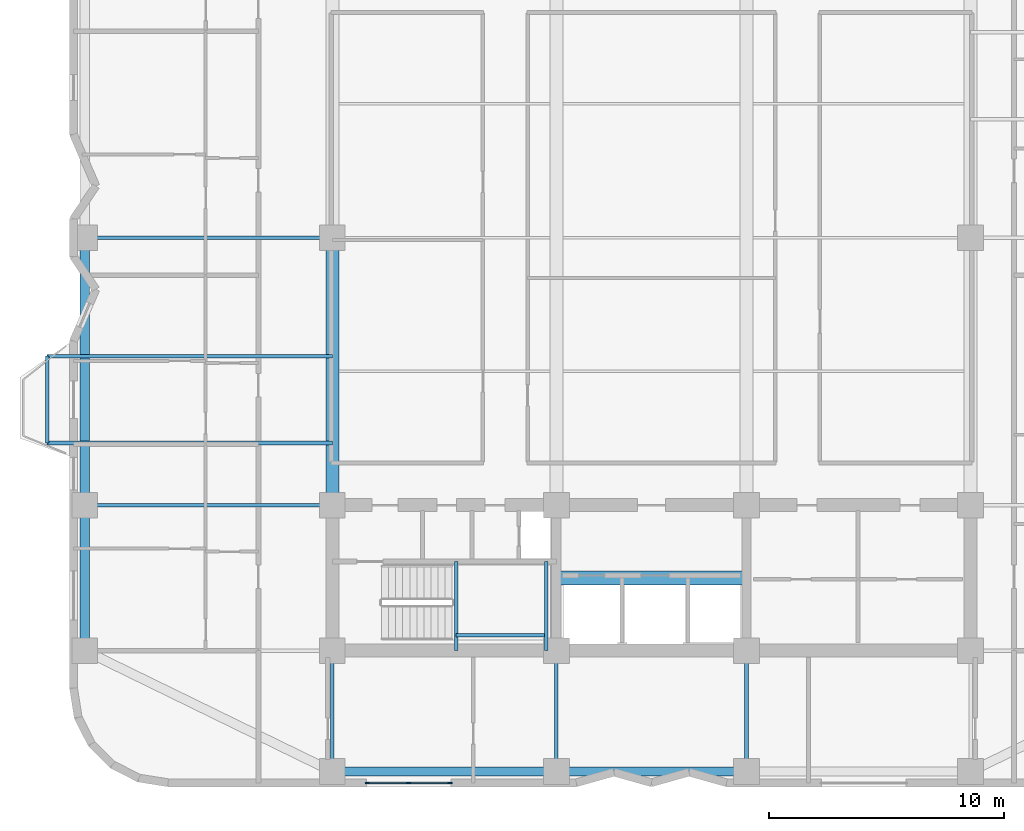
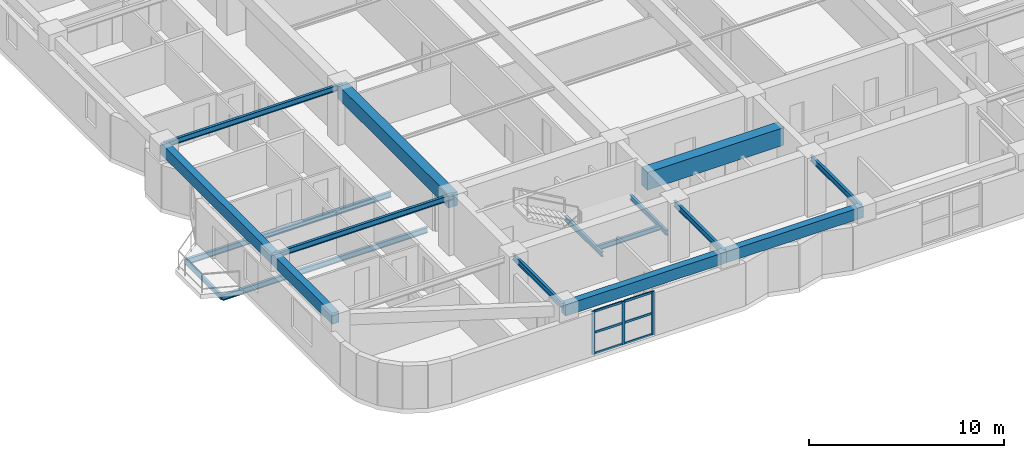
# One storey, part 2 of 15: 17 beams, 9 members, 1 element without a shape of its own.
"""IFC4 building model written with IfcOpenShell, lengths in metres."""

from ifc_helpers import new_model, si_unit, direction, frame, origin, origin_2d, place, context, subcontext, project, spatial, rectangle, i_section, extrude, material, material_profile, profile_set, type_object, element, aggregate, save


model = new_model("IFC4")

# Units and contexts
model_context = context("Model", 3, precision=1e-05, world=origin(), true_north=direction((0.0, 1.0)))
body_context = subcontext(model_context, "Body", "Model", "MODEL_VIEW")
ifc_project = project(units=[si_unit("LENGTHUNIT", "METRE"), si_unit("AREAUNIT", "SQUARE_METRE"), si_unit("VOLUMEUNIT", "CUBIC_METRE"), si_unit("PLANEANGLEUNIT", "RADIAN"), si_unit("MASSUNIT", "GRAM", prefix="KILO")], contexts=[model_context])

# Site, building, storey
site_placement = place(None, origin())
site = spatial("IfcSite", under=ifc_project, at=site_placement, CompositionType="ELEMENT")
building_placement = place(site_placement, origin())
building = spatial("IfcBuilding", under=site, at=building_placement, Name="Svetorya Sky Lyceum", CompositionType="ELEMENT")
storey_placement = place(building_placement, frame((0.0, 0.0, 99.39990234375)))
storey = spatial("IfcBuildingStorey", under=building, at=storey_placement, Name="L24", CompositionType="ELEMENT", Elevation=99.39990234375)

# Beams
ifc_material_1 = material(Name="Concrete C60/75", Category="concrete")
ifc_material_profile_1 = material_profile(ifc_material_1, rectangle(XDim=0.60009765625, YDim=1.10009765625, at=origin_2d()), Name="RC COUPLING 600x1100")
ifc_profile_set_1 = profile_set([ifc_material_profile_1], Name="Concrete C60/75")
beam_type_1 = type_object("IfcBeamType", Name="BM-CPL-1100", PredefinedType="LINTEL", material=ifc_profile_set_1)
beam_1_placement = place(storey_placement, frame((35.14990234375, 13.699951171875, 2.8701171875), z_axis=(1.0, 0.0, 0.0), x_axis=(0.0, 1.0, 0.0)))
element("IfcBeam", 1, at=beam_1_placement, inside=storey, type_object=beam_type_1, Name="L24 SC Core Coupling Beam", PredefinedType="LINTEL", context=body_context, shape_type="SweptSolid", body=[
    extrude(rectangle(XDim=0.60009765625, YDim=1.10009765625, at=origin_2d()), origin(), (0.0, 0.0, 1.0), 8.10009765625),
])
ifc_material_2 = material(Name="Concrete C50/60", Category="concrete")
ifc_material_profile_2 = material_profile(ifc_material_2, rectangle(XDim=0.550048828125, YDim=0.85009765625, at=origin_2d()), Name="RC BEAM 550x850")
ifc_profile_set_2 = profile_set([ifc_material_profile_2], Name="Concrete C50/60")
beam_type_2 = type_object("IfcBeamType", Name="BM-RC-850", PredefinedType="BEAM", material=ifc_profile_set_2)
beam_2_placement = place(storey_placement, frame((25.60009765625, 16.800048828125, 2.9951171875), z_axis=(0.0, 1.0, 0.0), x_axis=(-1.0, 0.0, 0.0)))
element("IfcBeam", 2, at=beam_2_placement, inside=storey, type_object=beam_type_2, Name="L24 Central Bay Primary Girder CG-1A", PredefinedType="BEAM", context=body_context, shape_type="SweptSolid", body=[
    extrude(rectangle(XDim=0.550048828125, YDim=0.85009765625, at=origin_2d()), origin(), (0.0, 0.0, 1.0), 11.39990234375),
])
ifc_material_profile_3 = material_profile(ifc_material_2, rectangle(XDim=0.39990234375, YDim=0.699951171875, at=origin_2d()), Name="RC SPANDREL 400x700")
ifc_profile_set_3 = profile_set([ifc_material_profile_3], Name="Concrete C50/60")
beam_type_3 = type_object("IfcBeamType", Name="BM-SPN-700", PredefinedType="SPANDREL", material=ifc_profile_set_3)
beam_3_placement = place(storey_placement, frame((25.60009765625, 5.449951171875, 3.070068359375), z_axis=(1.0, 0.0, 0.0), x_axis=(0.0, 1.0, 0.0)))
element("IfcBeam", 3, at=beam_3_placement, inside=storey, type_object=beam_type_3, Name="L24 South Spandrel 1", PredefinedType="SPANDREL", context=body_context, shape_type="SweptSolid", body=[
    extrude(rectangle(XDim=0.39990234375, YDim=0.699951171875, at=origin_2d()), origin(), (0.0, 0.0, 1.0), 9.5498046875),
])
beam_4_placement = place(storey_placement, frame((35.14990234375, 5.449951171875, 3.070068359375), z_axis=(1.0, 0.0, 0.0), x_axis=(0.0, 1.0, 0.0)))
element("IfcBeam", 4, at=beam_4_placement, inside=storey, type_object=beam_type_3, Name="L24 South Spandrel 2", PredefinedType="SPANDREL", context=body_context, shape_type="SweptSolid", body=[
    extrude(rectangle(XDim=0.39990234375, YDim=0.699951171875, at=origin_2d()), origin(), (0.0, 0.0, 1.0), 8.10009765625),
])
beam_5_placement = place(storey_placement, frame((15.050048828125, 10.60009765625, 3.070068359375), z_axis=(0.0, 1.0, 0.0), x_axis=(-1.0, 0.0, 0.0)))
element("IfcBeam", 5, at=beam_5_placement, inside=storey, type_object=beam_type_3, Name="L24 West Spandrel 1", PredefinedType="SPANDREL", context=body_context, shape_type="SweptSolid", body=[
    extrude(rectangle(XDim=0.39990234375, YDim=0.699951171875, at=origin_2d()), origin(), (0.0, 0.0, 1.0), 6.199951171875),
])
beam_6_placement = place(storey_placement, frame((15.050048828125, 16.800048828125, 3.070068359375), z_axis=(0.0, 1.0, 0.0), x_axis=(-1.0, 0.0, 0.0)))
element("IfcBeam", 6, at=beam_6_placement, inside=storey, type_object=beam_type_3, Name="L24 West Spandrel 2", PredefinedType="SPANDREL", context=body_context, shape_type="SweptSolid", body=[
    extrude(rectangle(XDim=0.39990234375, YDim=0.699951171875, at=origin_2d()), origin(), (0.0, 0.0, 1.0), 11.39990234375),
])
ifc_material_3 = material(Name="Steel S355", Category="steel")
ifc_material_profile_4 = material_profile(ifc_material_3, i_section(OverallWidth=0.14990234375, OverallDepth=0.299072265625, WebThickness=0.006591796875, FlangeThickness=0.010498046875, at=origin_2d()), Name="GOST 30B2")
ifc_profile_set_4 = profile_set([ifc_material_profile_4], Name="Steel S355")
beam_type_4 = type_object("IfcBeamType", Name="BM-STL-30B2", PredefinedType="JOIST", material=ifc_profile_set_4)
beam_7_placement = place(storey_placement, frame((13.449951171875, 19.449951171875, -0.454345703125), z_axis=(0.0, 1.0, 0.0), x_axis=(-1.0, 0.0, 0.0)))
element("IfcBeam", 7, at=beam_7_placement, inside=storey, type_object=beam_type_4, Name="L24 Balcony Edge Tie BAL-W1", PredefinedType="JOIST", context=body_context, shape_type="SweptSolid", body=[
    extrude(i_section(OverallWidth=0.14990234375, OverallDepth=0.299072265625, WebThickness=0.006591796875, FlangeThickness=0.010498046875, at=origin_2d()), origin(), (0.0, 0.0, 1.0), 3.699951171875),
])
for number, where, z_axis, x_axis, name in (
    (8, (30.8798828125, 10.60009765625, 1.50048828125), (0.0, 1.0, 0.0), (-1.0, 0.0, 0.0), "L24 Stair ST-S Half-Landing Support Beam 28.1"),
    (9, (34.719970703125, 10.60009765625, 1.50048828125), (0.0, 1.0, 0.0), (-1.0, 0.0, 0.0), "L24 Stair ST-S Half-Landing Support Beam 28.2"),
):
    element("IfcBeam", number, at=place(storey_placement, frame(where, z_axis=z_axis, x_axis=x_axis)), inside=storey, type_object=beam_type_4, Name=name, PredefinedType="JOIST", context=body_context, shape_type="SweptSolid", body=[
        extrude(i_section(OverallWidth=0.14990234375, OverallDepth=0.299072265625, WebThickness=0.006591796875, FlangeThickness=0.010498046875, at=origin_2d()), origin(), (0.0, 0.0, 1.0), 3.7998046875),
    ])
beam_8_placement = place(storey_placement, frame((30.8798828125, 11.25, 1.50048828125), z_axis=(1.0, 0.0, 0.0), x_axis=(0.0, 1.0, 0.0)))
element("IfcBeam", 10, at=beam_8_placement, inside=storey, type_object=beam_type_4, Name="L24 Stair ST-S Half-Landing Cross Tie 28", PredefinedType="JOIST", context=body_context, shape_type="SweptSolid", body=[
    extrude(i_section(OverallWidth=0.14990234375, OverallDepth=0.299072265625, WebThickness=0.006591796875, FlangeThickness=0.010498046875, at=origin_2d()), origin(), (0.0, 0.0, 1.0), 3.840087890625),
])
ifc_material_profile_5 = material_profile(ifc_material_3, i_section(OverallWidth=0.155029296875, OverallDepth=0.34912109375, WebThickness=0.007080078125, FlangeThickness=0.011474609375, at=origin_2d()), Name="GOST 35B2")
ifc_profile_set_5 = profile_set([ifc_material_profile_5], Name="Steel S355")
beam_type_5 = type_object("IfcBeamType", Name="BM-STL-35B2", PredefinedType="JOIST", material=ifc_profile_set_5)
for number, where, z_axis, x_axis, name in (
    (11, (25.60009765625, 19.449951171875, -0.454345703125), (-1.0, 0.0, 0.0), (0.0, -1.0, 0.0), "L24 Balcony Cantilever Beam BAL-W1-1"),
    (12, (25.60009765625, 23.14990234375, -0.454345703125), (-1.0, 0.0, 0.0), (0.0, -1.0, 0.0), "L24 Balcony Cantilever Beam BAL-W1-2"),
):
    element("IfcBeam", number, at=place(storey_placement, frame(where, z_axis=z_axis, x_axis=x_axis)), inside=storey, type_object=beam_type_5, Name=name, PredefinedType="JOIST", context=body_context, shape_type="SweptSolid", body=[
        extrude(i_section(OverallWidth=0.155029296875, OverallDepth=0.34912109375, WebThickness=0.007080078125, FlangeThickness=0.011474609375, at=origin_2d()), origin(), (0.0, 0.0, 1.0), 12.150146484375),
    ])
for number, where, z_axis, x_axis, name in (
    (13, (15.050048828125, 16.800048828125, 3.24560546875), (1.0, 0.0, 0.0), (0.0, 1.0, 0.0), "L24 West Wing Floor Joist W2"),
    (14, (15.050048828125, 28.199951171875, 3.24560546875), (1.0, 0.0, 0.0), (0.0, 1.0, 0.0), "L24 West Wing Floor Joist W3"),
):
    element("IfcBeam", number, at=place(storey_placement, frame(where, z_axis=z_axis, x_axis=x_axis)), inside=storey, type_object=beam_type_5, Name=name, PredefinedType="JOIST", context=body_context, shape_type="SweptSolid", body=[
        extrude(i_section(OverallWidth=0.155029296875, OverallDepth=0.34912109375, WebThickness=0.007080078125, FlangeThickness=0.011474609375, at=origin_2d()), origin(), (0.0, 0.0, 1.0), 10.550048828125),
    ])
for number, where, z_axis, x_axis, name in (
    (15, (25.60009765625, 5.449951171875, 3.24560546875), (0.0, 1.0, 0.0), (-1.0, 0.0, 0.0), "L24 South Bay Floor Girder S1"),
    (16, (35.14990234375, 5.449951171875, 3.24560546875), (0.0, 1.0, 0.0), (-1.0, 0.0, 0.0), "L24 South Bay Floor Girder S2"),
    (17, (43.25, 5.449951171875, 3.24560546875), (0.0, 1.0, 0.0), (-1.0, 0.0, 0.0), "L24 South Bay Floor Girder S3"),
):
    element("IfcBeam", number, at=place(storey_placement, frame(where, z_axis=z_axis, x_axis=x_axis)), inside=storey, type_object=beam_type_5, Name=name, PredefinedType="JOIST", context=body_context, shape_type="SweptSolid", body=[
        extrude(i_section(OverallWidth=0.155029296875, OverallDepth=0.34912109375, WebThickness=0.007080078125, FlangeThickness=0.011474609375, at=origin_2d()), origin(), (0.0, 0.0, 1.0), 5.150146484375),
    ])

# Curtain wall, members
ifc_material_4 = material(Name="Thermally broken anodized aluminium and triple low-E glass", Category="aluminium")
curtain_wall_type = type_object("IfcCurtainWallType", Name="CW3-LOG-RES", PredefinedType="NOTDEFINED", material=ifc_material_4)
curtain_wall_placement = place(storey_placement, origin())
curtain_wall = element("IfcCurtainWall", 18, at=curtain_wall_placement, inside=storey, type_object=curtain_wall_type, Name="L24 Recessed Loggia Curtain Wall 6", PredefinedType="NOTDEFINED")
ifc_material_5 = material(Name="Thermally broken anodized aluminium EN AW-6060", Category="aluminium")
ifc_material_profile_6 = material_profile(ifc_material_5, rectangle(XDim=0.06494140625, YDim=0.179931640625, at=origin_2d()), Name="ALU MULLION 65x180")
ifc_profile_set_6 = profile_set([ifc_material_profile_6], Name="Thermally broken anodized aluminium EN AW-6060")
member_type_1 = type_object("IfcMemberType", Name="CWM-MUL-180", PredefinedType="MULLION", material=ifc_profile_set_6)
member_1_placement = place(storey_placement, frame((27.08251953125, 4.969970703125, 0.0), z_axis=(0.0, 0.0, 1.0), x_axis=(0.0, 1.0, 0.0)))
member_1 = element("IfcMember", 19, at=member_1_placement, type_object=member_type_1, Name="CW-3 mullion 1", PredefinedType="MULLION", context=body_context, shape_type="SweptSolid", body=[
    extrude(rectangle(XDim=0.06494140625, YDim=0.179931640625, at=origin_2d()), origin(), (0.0, 0.0, 1.0), 2.7001953125),
])
member_2_placement = place(storey_placement, frame((28.85009765625, 4.969970703125, 0.0), z_axis=(0.0, 0.0, 1.0), x_axis=(0.0, 1.0, 0.0)))
member_2 = element("IfcMember", 20, at=member_2_placement, type_object=member_type_1, Name="CW-3 mullion 2", PredefinedType="MULLION", context=body_context, shape_type="SweptSolid", body=[
    extrude(rectangle(XDim=0.06494140625, YDim=0.179931640625, at=origin_2d()), origin(), (0.0, 0.0, 1.0), 2.7001953125),
])
member_3_placement = place(storey_placement, frame((30.617431640625, 4.969970703125, 0.0), z_axis=(0.0, 0.0, 1.0), x_axis=(0.0, 1.0, 0.0)))
member_3 = element("IfcMember", 21, at=member_3_placement, type_object=member_type_1, Name="CW-3 mullion 3", PredefinedType="MULLION", context=body_context, shape_type="SweptSolid", body=[
    extrude(rectangle(XDim=0.06494140625, YDim=0.179931640625, at=origin_2d()), origin(), (0.0, 0.0, 1.0), 2.7001953125),
])
ifc_material_profile_7 = material_profile(ifc_material_5, rectangle(XDim=0.06494140625, YDim=0.139892578125, at=origin_2d()), Name="ALU TRANSOM 65x140")
ifc_profile_set_7 = profile_set([ifc_material_profile_7], Name="Thermally broken anodized aluminium EN AW-6060")
member_type_2 = type_object("IfcMemberType", Name="CWM-TRN-140", PredefinedType="USERDEFINED", material=ifc_profile_set_7)
member_4_placement = place(storey_placement, frame((27.113525390625, 4.969970703125, 0.03271484375), z_axis=(1.0, 0.0, 0.0), x_axis=(0.0, 1.0, 0.0)))
member_4 = element("IfcMember", 22, at=member_4_placement, type_object=member_type_2, Name="CW-3 transom 1.1", ObjectType="TRANSOM", PredefinedType="USERDEFINED", context=body_context, shape_type="SweptSolid", body=[
    extrude(rectangle(XDim=0.06494140625, YDim=0.139892578125, at=origin_2d()), origin(), (0.0, 0.0, 1.0), 1.70556640625),
])
member_5_placement = place(storey_placement, frame((27.113525390625, 4.969970703125, 1.35009765625), z_axis=(1.0, 0.0, 0.0), x_axis=(0.0, 1.0, 0.0)))
member_5 = element("IfcMember", 23, at=member_5_placement, type_object=member_type_2, Name="CW-3 transom 1.2", ObjectType="TRANSOM", PredefinedType="USERDEFINED", context=body_context, shape_type="SweptSolid", body=[
    extrude(rectangle(XDim=0.06494140625, YDim=0.139892578125, at=origin_2d()), origin(), (0.0, 0.0, 1.0), 1.70556640625),
])
member_6_placement = place(storey_placement, frame((27.113525390625, 4.969970703125, 2.66748046875), z_axis=(1.0, 0.0, 0.0), x_axis=(0.0, 1.0, 0.0)))
member_6 = element("IfcMember", 24, at=member_6_placement, type_object=member_type_2, Name="CW-3 transom 1.3", ObjectType="TRANSOM", PredefinedType="USERDEFINED", context=body_context, shape_type="SweptSolid", body=[
    extrude(rectangle(XDim=0.06494140625, YDim=0.139892578125, at=origin_2d()), origin(), (0.0, 0.0, 1.0), 1.70556640625),
])
member_7_placement = place(storey_placement, frame((28.881103515625, 4.969970703125, 0.03271484375), z_axis=(1.0, 0.0, 0.0), x_axis=(0.0, 1.0, 0.0)))
member_7 = element("IfcMember", 25, at=member_7_placement, type_object=member_type_2, Name="CW-3 transom 2.1", ObjectType="TRANSOM", PredefinedType="USERDEFINED", context=body_context, shape_type="SweptSolid", body=[
    extrude(rectangle(XDim=0.06494140625, YDim=0.139892578125, at=origin_2d()), origin(), (0.0, 0.0, 1.0), 1.705322265625),
])
member_8_placement = place(storey_placement, frame((28.881103515625, 4.969970703125, 1.35009765625), z_axis=(1.0, 0.0, 0.0), x_axis=(0.0, 1.0, 0.0)))
member_8 = element("IfcMember", 26, at=member_8_placement, type_object=member_type_2, Name="CW-3 transom 2.2", ObjectType="TRANSOM", PredefinedType="USERDEFINED", context=body_context, shape_type="SweptSolid", body=[
    extrude(rectangle(XDim=0.06494140625, YDim=0.139892578125, at=origin_2d()), origin(), (0.0, 0.0, 1.0), 1.705322265625),
])
member_9_placement = place(storey_placement, frame((28.881103515625, 4.969970703125, 2.66748046875), z_axis=(1.0, 0.0, 0.0), x_axis=(0.0, 1.0, 0.0)))
member_9 = element("IfcMember", 27, at=member_9_placement, type_object=member_type_2, Name="CW-3 transom 2.3", ObjectType="TRANSOM", PredefinedType="USERDEFINED", context=body_context, shape_type="SweptSolid", body=[
    extrude(rectangle(XDim=0.06494140625, YDim=0.139892578125, at=origin_2d()), origin(), (0.0, 0.0, 1.0), 1.705322265625),
])
aggregate(curtain_wall, [member_1, member_2, member_3, member_4, member_5, member_6, member_7, member_8, member_9])

save(model, "model.ifc")
